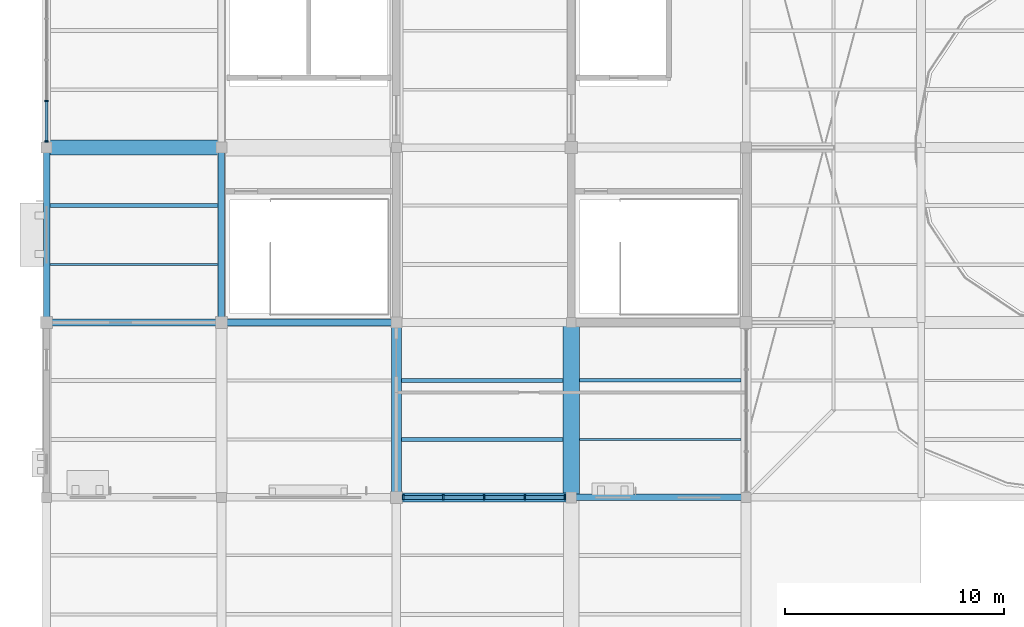
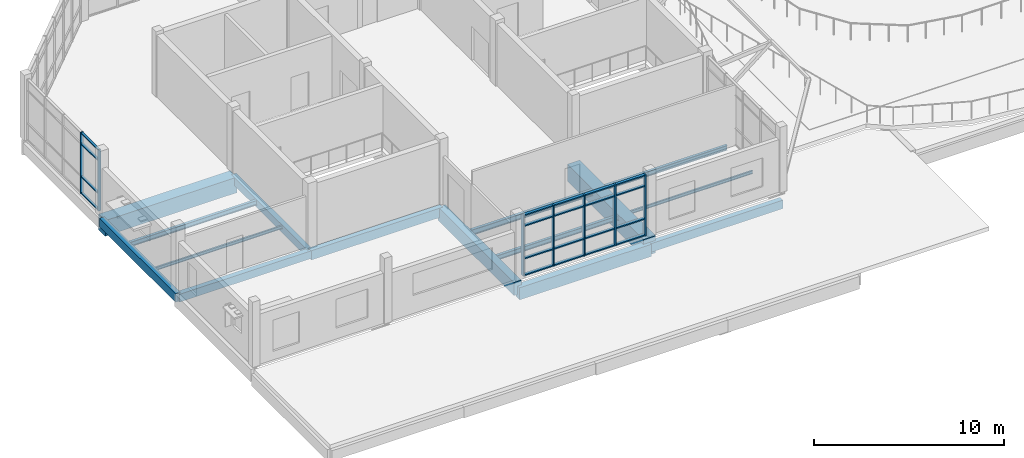
# One storey, part 12 of 44: 27 members, 15 beams, 2 elements without a shape of their own.
"""IFC4 building model written with IfcOpenShell, lengths in metres."""

from ifc_helpers import new_model, si_unit, direction, frame, origin, origin_2d, place, context, subcontext, project, spatial, rectangle, i_section, extrude, material, material_profile, profile_set, type_object, element, aggregate, save


model = new_model("IFC4")

# Units and contexts
model_context = context("Model", 3, precision=1e-05, world=origin(), true_north=direction((0.0, 1.0)))
body_context = subcontext(model_context, "Body", "Model", "MODEL_VIEW")
ifc_project = project(units=[si_unit("LENGTHUNIT", "METRE"), si_unit("AREAUNIT", "SQUARE_METRE"), si_unit("VOLUMEUNIT", "CUBIC_METRE"), si_unit("PLANEANGLEUNIT", "RADIAN"), si_unit("MASSUNIT", "GRAM", prefix="KILO")], contexts=[model_context])

# Site, building, storey
site_placement = place(None, origin())
site = spatial("IfcSite", under=ifc_project, at=site_placement, CompositionType="ELEMENT")
building_placement = place(site_placement, origin())
building = spatial("IfcBuilding", under=site, at=building_placement, Name="Tenunan Teduh Sports Hall", CompositionType="ELEMENT")
storey_placement = place(building_placement, frame((0.0, 0.0, 19.199951171875)))
storey = spatial("IfcBuildingStorey", under=building, at=storey_placement, Name="L04", CompositionType="ELEMENT", Elevation=19.199951171875)

# Beams
ifc_material_1 = material(Name="Concrete C40/50", Category="concrete")
ifc_material_profile_1 = material_profile(ifc_material_1, rectangle(XDim=0.300048828125, YDim=0.5, at=origin_2d()), Name="RCB 300x500")
ifc_profile_set_1 = profile_set([ifc_material_profile_1], Name="Concrete C40/50")
beam_type_1 = type_object("IfcBeamType", Name="BM-RC-300x500", PredefinedType="BEAM", material=ifc_profile_set_1)
for number, where, z_axis, x_axis, name in (
    (1, (6.0, 94.0, -0.52001953125), (1.0, 0.0, 0.0), (0.0, 1.0, 0.0), "BM-B-01-L04-2033"),
    (2, (14.0, 94.0, -0.52001953125), (0.0, 1.0, 0.0), (-1.0, 0.0, 0.0), "BM-B-01-L04-2074"),
):
    element("IfcBeam", number, at=place(storey_placement, frame(where, z_axis=z_axis, x_axis=x_axis)), inside=storey, type_object=beam_type_1, Name=name, PredefinedType="BEAM", context=body_context, shape_type="SweptSolid", body=[
        extrude(rectangle(XDim=0.300048828125, YDim=0.5, at=origin_2d()), origin(), (0.0, 0.0, 1.0), 8.0),
    ])
ifc_material_2 = material(Name="Concrete C40/50", Category="concrete")
ifc_material_profile_2 = material_profile(ifc_material_2, rectangle(XDim=0.300048828125, YDim=0.550048828125, at=origin_2d()), Name="RCB 300x550")
ifc_profile_set_2 = profile_set([ifc_material_profile_2], Name="Concrete C40/50")
beam_type_2 = type_object("IfcBeamType", Name="BM-RC-300x550", PredefinedType="BEAM", material=ifc_profile_set_2)
for number, where, z_axis, x_axis, name in (
    (3, (30.0, 86.0, -0.844970703125), (1.0, 0.0, 0.0), (0.0, 1.0, 0.0), "BM-B-02-L04-2029"),
    (4, (6.0, 94.0, -0.544921875), (0.0, 1.0, 0.0), (-1.0, 0.0, 0.0), "BM-B-02-L04-2070"),
):
    element("IfcBeam", number, at=place(storey_placement, frame(where, z_axis=z_axis, x_axis=x_axis)), inside=storey, type_object=beam_type_2, Name=name, PredefinedType="BEAM", context=body_context, shape_type="SweptSolid", body=[
        extrude(rectangle(XDim=0.300048828125, YDim=0.550048828125, at=origin_2d()), origin(), (0.0, 0.0, 1.0), 8.0),
    ])
ifc_material_3 = material(Name="Concrete C40/50", Category="concrete")
ifc_material_profile_3 = material_profile(ifc_material_3, rectangle(XDim=0.300048828125, YDim=0.60009765625, at=origin_2d()), Name="RCB 300x600")
ifc_profile_set_3 = profile_set([ifc_material_profile_3], Name="Concrete C40/50")
beam_type_3 = type_object("IfcBeamType", Name="BM-RC-300x600", PredefinedType="BEAM", material=ifc_profile_set_3)
beam_1_placement = place(storey_placement, frame((14.0, 94.0, -0.570068359375), z_axis=(1.0, 0.0, 0.0), x_axis=(0.0, 1.0, 0.0)))
element("IfcBeam", 5, at=beam_1_placement, inside=storey, type_object=beam_type_3, Name="BM-B-03-L04-2034", PredefinedType="BEAM", context=body_context, shape_type="SweptSolid", body=[
    extrude(rectangle(XDim=0.300048828125, YDim=0.60009765625, at=origin_2d()), origin(), (0.0, 0.0, 1.0), 8.0),
])
ifc_material_4 = material(Name="Concrete C40/50", Category="concrete")
ifc_material_profile_4 = material_profile(ifc_material_4, rectangle(XDim=0.449951171875, YDim=0.85009765625, at=origin_2d()), Name="RCB 450x850")
ifc_profile_set_4 = profile_set([ifc_material_profile_4], Name="Concrete C40/50")
beam_type_4 = type_object("IfcBeamType", Name="BM-RC-450x850", PredefinedType="BEAM", material=ifc_profile_set_4)
beam_2_placement = place(storey_placement, frame((22.0, 86.0, -0.695068359375), z_axis=(0.0, 1.0, 0.0), x_axis=(-1.0, 0.0, 0.0)))
element("IfcBeam", 6, at=beam_2_placement, inside=storey, type_object=beam_type_4, Name="BM-B-13-L04-2078", PredefinedType="BEAM", context=body_context, shape_type="SweptSolid", body=[
    extrude(rectangle(XDim=0.449951171875, YDim=0.85009765625, at=origin_2d()), origin(), (0.0, 0.0, 1.0), 8.0),
])
ifc_material_5 = material(Name="Concrete C40/50", Category="concrete")
ifc_material_profile_5 = material_profile(ifc_material_5, rectangle(XDim=0.699951171875, YDim=1.0, at=origin_2d()), Name="RCB 700x1000")
ifc_profile_set_5 = profile_set([ifc_material_profile_5], Name="Concrete C40/50")
beam_type_5 = type_object("IfcBeamType", Name="BM-RC-700x1000", PredefinedType="SPANDREL", material=ifc_profile_set_5)
beam_3_placement = place(storey_placement, frame((6.0, 102.0, -0.77001953125), z_axis=(1.0, 0.0, 0.0), x_axis=(0.0, 1.0, 0.0)))
element("IfcBeam", 7, at=beam_3_placement, inside=storey, type_object=beam_type_5, Name="BM-B-19-L04-2041", PredefinedType="SPANDREL", context=body_context, shape_type="SweptSolid", body=[
    extrude(rectangle(XDim=0.699951171875, YDim=1.0, at=origin_2d()), origin(), (0.0, 0.0, 1.0), 8.0),
])
ifc_material_6 = material(Name="Concrete C40/50", Category="concrete")
ifc_material_profile_6 = material_profile(ifc_material_6, rectangle(XDim=0.75, YDim=1.10009765625, at=origin_2d()), Name="RCB 750x1100")
ifc_profile_set_6 = profile_set([ifc_material_profile_6], Name="Concrete C40/50")
beam_type_6 = type_object("IfcBeamType", Name="BM-RC-750x1100", PredefinedType="SPANDREL", material=ifc_profile_set_6)
beam_4_placement = place(storey_placement, frame((30.0, 86.0, -0.820068359375), z_axis=(0.0, 1.0, 0.0), x_axis=(-1.0, 0.0, 0.0)))
element("IfcBeam", 8, at=beam_4_placement, inside=storey, type_object=beam_type_6, Name="BM-B-20-L04-2083", PredefinedType="SPANDREL", context=body_context, shape_type="SweptSolid", body=[
    extrude(rectangle(XDim=0.75, YDim=1.10009765625, at=origin_2d()), origin(), (0.0, 0.0, 1.0), 8.0),
])
ifc_material_7 = material(Name="Concrete C40/50", Category="concrete")
ifc_material_profile_7 = material_profile(ifc_material_7, rectangle(XDim=0.39990234375, YDim=0.780029296875, at=origin_2d()), Name="TB 400x780")
ifc_profile_set_7 = profile_set([ifc_material_profile_7], Name="Concrete C40/50")
beam_type_7 = type_object("IfcBeamType", Name="BM-TB-400x780", PredefinedType="T_BEAM", material=ifc_profile_set_7)
beam_5_placement = place(storey_placement, frame((22.0, 86.0, -0.9599609375), z_axis=(1.0, 0.0, 0.0), x_axis=(0.0, 1.0, 0.0)))
element("IfcBeam", 9, at=beam_5_placement, inside=storey, type_object=beam_type_7, Name="BM-TB-02-L04-2028", PredefinedType="T_BEAM", context=body_context, shape_type="SweptSolid", body=[
    extrude(rectangle(XDim=0.39990234375, YDim=0.780029296875, at=origin_2d()), origin(), (0.0, 0.0, 1.0), 8.0),
])

# Curtain wall, members
ifc_material_8 = material(Name="Anodised aluminium", Category="aluminium")
curtain_wall_type = type_object("IfcCurtainWallType", Name="CW-UNIT-2", PredefinedType="NOTDEFINED", material=ifc_material_8)
curtain_wall_1_placement = place(storey_placement, origin())
curtain_wall_1 = element("IfcCurtainWall", 10, at=curtain_wall_1_placement, inside=storey, type_object=curtain_wall_type, Name="CW-CWM-175-L04-234", PredefinedType="NOTDEFINED")
ifc_material_9 = material(Name="Anodised aluminium", Category="aluminium")
ifc_material_profile_8 = material_profile(ifc_material_9, rectangle(XDim=0.06494140625, YDim=0.175048828125, at=origin_2d()), Name="CWM 65x175")
ifc_profile_set_8 = profile_set([ifc_material_profile_8], Name="Anodised aluminium")
member_type_1 = type_object("IfcMemberType", Name="CWM-175", PredefinedType="MULLION", material=ifc_profile_set_8)
member_1_placement = place(storey_placement, frame((6.0, 102.282470703125, 0.0), z_axis=(0.0, 0.0, 1.0), x_axis=(0.0, 1.0, 0.0)))
member_1 = element("IfcMember", 11, at=member_1_placement, type_object=member_type_1, Name="CW-02 mullion 1", PredefinedType="MULLION", context=body_context, shape_type="SweptSolid", body=[
    extrude(rectangle(XDim=0.06494140625, YDim=0.175048828125, at=origin_2d()), origin(), (0.0, 0.0, 1.0), 3.920166015625),
])
member_2_placement = place(storey_placement, frame((6.0, 104.13134765625, 0.0), z_axis=(0.0, 0.0, 1.0), x_axis=(0.0, 1.0, 0.0)))
member_2 = element("IfcMember", 12, at=member_2_placement, type_object=member_type_1, Name="CW-02 mullion 2", PredefinedType="MULLION", context=body_context, shape_type="SweptSolid", body=[
    extrude(rectangle(XDim=0.06494140625, YDim=0.175048828125, at=origin_2d()), origin(), (0.0, 0.0, 1.0), 3.920166015625),
])

curtain_wall_2_placement = place(storey_placement, origin())
curtain_wall_2 = element("IfcCurtainWall", 13, at=curtain_wall_2_placement, inside=storey, type_object=curtain_wall_type, Name="CW-CWM-220-L04-229", PredefinedType="NOTDEFINED")
ifc_material_10 = material(Name="Anodised aluminium", Category="aluminium")
ifc_material_profile_9 = material_profile(ifc_material_10, rectangle(XDim=0.074951171875, YDim=0.219970703125, at=origin_2d()), Name="CWM 75x220")
ifc_profile_set_9 = profile_set([ifc_material_profile_9], Name="Anodised aluminium")
member_type_2 = type_object("IfcMemberType", Name="CWM-220", PredefinedType="MULLION", material=ifc_profile_set_9)
member_3_placement = place(storey_placement, frame((22.3125, 86.0, 0.0), z_axis=(0.0, 0.0, 1.0), x_axis=(1.0, 0.0, 0.0)))
member_3 = element("IfcMember", 14, at=member_3_placement, type_object=member_type_2, Name="CW-02 mullion 1", PredefinedType="MULLION", context=body_context, shape_type="SweptSolid", body=[
    extrude(rectangle(XDim=0.074951171875, YDim=0.219970703125, at=origin_2d()), origin(), (0.0, 0.0, 1.0), 3.920166015625),
])
member_4_placement = place(storey_placement, frame((24.143798828125, 86.0, 0.0), z_axis=(0.0, 0.0, 1.0), x_axis=(1.0, 0.0, 0.0)))
member_4 = element("IfcMember", 15, at=member_4_placement, type_object=member_type_2, Name="CW-02 mullion 2", PredefinedType="MULLION", context=body_context, shape_type="SweptSolid", body=[
    extrude(rectangle(XDim=0.074951171875, YDim=0.219970703125, at=origin_2d()), origin(), (0.0, 0.0, 1.0), 3.920166015625),
])
member_5_placement = place(storey_placement, frame((26.012451171875, 86.0, 0.0), z_axis=(0.0, 0.0, 1.0), x_axis=(1.0, 0.0, 0.0)))
member_5 = element("IfcMember", 16, at=member_5_placement, type_object=member_type_2, Name="CW-02 mullion 3", PredefinedType="MULLION", context=body_context, shape_type="SweptSolid", body=[
    extrude(rectangle(XDim=0.074951171875, YDim=0.219970703125, at=origin_2d()), origin(), (0.0, 0.0, 1.0), 3.920166015625),
])
member_6_placement = place(storey_placement, frame((27.88134765625, 86.0, 0.0), z_axis=(0.0, 0.0, 1.0), x_axis=(1.0, 0.0, 0.0)))
member_6 = element("IfcMember", 17, at=member_6_placement, type_object=member_type_2, Name="CW-02 mullion 4", PredefinedType="MULLION", context=body_context, shape_type="SweptSolid", body=[
    extrude(rectangle(XDim=0.074951171875, YDim=0.219970703125, at=origin_2d()), origin(), (0.0, 0.0, 1.0), 3.920166015625),
])
member_7_placement = place(storey_placement, frame((29.71240234375, 86.0, 0.0), z_axis=(0.0, 0.0, 1.0), x_axis=(1.0, 0.0, 0.0)))
member_7 = element("IfcMember", 18, at=member_7_placement, type_object=member_type_2, Name="CW-02 mullion 5", PredefinedType="MULLION", context=body_context, shape_type="SweptSolid", body=[
    extrude(rectangle(XDim=0.074951171875, YDim=0.219970703125, at=origin_2d()), origin(), (0.0, 0.0, 1.0), 3.920166015625),
])

# Member
ifc_material_11 = material(Name="Anodised aluminium", Category="aluminium")
ifc_material_profile_10 = material_profile(ifc_material_11, rectangle(XDim=0.06494140625, YDim=0.139892578125, at=origin_2d()), Name="CWT 65x140")
ifc_profile_set_10 = profile_set([ifc_material_profile_10], Name="Anodised aluminium")
member_type_3 = type_object("IfcMemberType", Name="CWT-150", PredefinedType="USERDEFINED", material=ifc_profile_set_10)
member_8_placement = place(storey_placement, frame((6.0, 102.31494140625, 0.032470703125), z_axis=(0.0, 1.0, 0.0), x_axis=(0.0, 0.0, 1.0)))
member_8 = element("IfcMember", 19, at=member_8_placement, type_object=member_type_3, Name="CW-02 transom 1.1", ObjectType="TRANSOM", PredefinedType="USERDEFINED", context=body_context, shape_type="SweptSolid", body=[
    extrude(rectangle(XDim=0.06494140625, YDim=0.139892578125, at=origin_2d()), origin(), (0.0, 0.0, 1.0), 1.78369140625),
])

member_9_placement = place(storey_placement, frame((6.0, 102.31494140625, 1.10009765625), z_axis=(0.0, 1.0, 0.0), x_axis=(0.0, 0.0, 1.0)))
member_9 = element("IfcMember", 20, at=member_9_placement, type_object=member_type_3, Name="CW-02 transom 1.2", ObjectType="TRANSOM", PredefinedType="USERDEFINED", context=body_context, shape_type="SweptSolid", body=[
    extrude(rectangle(XDim=0.06494140625, YDim=0.139892578125, at=origin_2d()), origin(), (0.0, 0.0, 1.0), 1.78369140625),
])

member_10_placement = place(storey_placement, frame((6.0, 102.31494140625, 3.199951171875), z_axis=(0.0, 1.0, 0.0), x_axis=(0.0, 0.0, 1.0)))
member_10 = element("IfcMember", 21, at=member_10_placement, type_object=member_type_3, Name="CW-02 transom 1.3", ObjectType="TRANSOM", PredefinedType="USERDEFINED", context=body_context, shape_type="SweptSolid", body=[
    extrude(rectangle(XDim=0.06494140625, YDim=0.139892578125, at=origin_2d()), origin(), (0.0, 0.0, 1.0), 1.78369140625),
])

member_11_placement = place(storey_placement, frame((6.0, 102.31494140625, 3.887451171875), z_axis=(0.0, 1.0, 0.0), x_axis=(0.0, 0.0, 1.0)))
member_11 = element("IfcMember", 22, at=member_11_placement, type_object=member_type_3, Name="CW-02 transom 1.4", ObjectType="TRANSOM", PredefinedType="USERDEFINED", context=body_context, shape_type="SweptSolid", body=[
    extrude(rectangle(XDim=0.06494140625, YDim=0.139892578125, at=origin_2d()), origin(), (0.0, 0.0, 1.0), 1.78369140625),
])

aggregate(curtain_wall_1, [member_1, member_2, member_8, member_9, member_10, member_11])

ifc_material_12 = material(Name="Anodised aluminium", Category="aluminium")
ifc_material_profile_11 = material_profile(ifc_material_12, rectangle(XDim=0.074951171875, YDim=0.179931640625, at=origin_2d()), Name="CWT 75x180")
ifc_profile_set_11 = profile_set([ifc_material_profile_11], Name="Anodised aluminium")
member_type_4 = type_object("IfcMemberType", Name="CWT-180", PredefinedType="USERDEFINED", material=ifc_profile_set_11)
member_12_placement = place(storey_placement, frame((22.35009765625, 86.0, 0.03759765625), z_axis=(1.0, 0.0, 0.0), x_axis=(0.0, 0.0, 1.0)))
member_12 = element("IfcMember", 23, at=member_12_placement, type_object=member_type_4, Name="CW-02 transom 1.1", ObjectType="TRANSOM", PredefinedType="USERDEFINED", context=body_context, shape_type="SweptSolid", body=[
    extrude(rectangle(XDim=0.074951171875, YDim=0.179931640625, at=origin_2d()), origin(), (0.0, 0.0, 1.0), 1.756103515625),
])

member_13_placement = place(storey_placement, frame((22.35009765625, 86.0, 1.10009765625), z_axis=(1.0, 0.0, 0.0), x_axis=(0.0, 0.0, 1.0)))
member_13 = element("IfcMember", 24, at=member_13_placement, type_object=member_type_4, Name="CW-02 transom 1.2", ObjectType="TRANSOM", PredefinedType="USERDEFINED", context=body_context, shape_type="SweptSolid", body=[
    extrude(rectangle(XDim=0.074951171875, YDim=0.179931640625, at=origin_2d()), origin(), (0.0, 0.0, 1.0), 1.756103515625),
])

member_14_placement = place(storey_placement, frame((22.35009765625, 86.0, 3.199951171875), z_axis=(1.0, 0.0, 0.0), x_axis=(0.0, 0.0, 1.0)))
member_14 = element("IfcMember", 25, at=member_14_placement, type_object=member_type_4, Name="CW-02 transom 1.3", ObjectType="TRANSOM", PredefinedType="USERDEFINED", context=body_context, shape_type="SweptSolid", body=[
    extrude(rectangle(XDim=0.074951171875, YDim=0.179931640625, at=origin_2d()), origin(), (0.0, 0.0, 1.0), 1.756103515625),
])

member_15_placement = place(storey_placement, frame((22.35009765625, 86.0, 3.882568359375), z_axis=(1.0, 0.0, 0.0), x_axis=(0.0, 0.0, 1.0)))
member_15 = element("IfcMember", 26, at=member_15_placement, type_object=member_type_4, Name="CW-02 transom 1.4", ObjectType="TRANSOM", PredefinedType="USERDEFINED", context=body_context, shape_type="SweptSolid", body=[
    extrude(rectangle(XDim=0.074951171875, YDim=0.179931640625, at=origin_2d()), origin(), (0.0, 0.0, 1.0), 1.756103515625),
])

member_16_placement = place(storey_placement, frame((24.18115234375, 86.0, 0.03759765625), z_axis=(1.0, 0.0, 0.0), x_axis=(0.0, 0.0, 1.0)))
member_16 = element("IfcMember", 27, at=member_16_placement, type_object=member_type_4, Name="CW-02 transom 2.1", ObjectType="TRANSOM", PredefinedType="USERDEFINED", context=body_context, shape_type="SweptSolid", body=[
    extrude(rectangle(XDim=0.074951171875, YDim=0.179931640625, at=origin_2d()), origin(), (0.0, 0.0, 1.0), 1.7939453125),
])

member_17_placement = place(storey_placement, frame((24.18115234375, 86.0, 1.10009765625), z_axis=(1.0, 0.0, 0.0), x_axis=(0.0, 0.0, 1.0)))
member_17 = element("IfcMember", 28, at=member_17_placement, type_object=member_type_4, Name="CW-02 transom 2.2", ObjectType="TRANSOM", PredefinedType="USERDEFINED", context=body_context, shape_type="SweptSolid", body=[
    extrude(rectangle(XDim=0.074951171875, YDim=0.179931640625, at=origin_2d()), origin(), (0.0, 0.0, 1.0), 1.7939453125),
])

member_18_placement = place(storey_placement, frame((24.18115234375, 86.0, 3.199951171875), z_axis=(1.0, 0.0, 0.0), x_axis=(0.0, 0.0, 1.0)))
member_18 = element("IfcMember", 29, at=member_18_placement, type_object=member_type_4, Name="CW-02 transom 2.3", ObjectType="TRANSOM", PredefinedType="USERDEFINED", context=body_context, shape_type="SweptSolid", body=[
    extrude(rectangle(XDim=0.074951171875, YDim=0.179931640625, at=origin_2d()), origin(), (0.0, 0.0, 1.0), 1.7939453125),
])

member_19_placement = place(storey_placement, frame((24.18115234375, 86.0, 3.882568359375), z_axis=(1.0, 0.0, 0.0), x_axis=(0.0, 0.0, 1.0)))
member_19 = element("IfcMember", 30, at=member_19_placement, type_object=member_type_4, Name="CW-02 transom 2.4", ObjectType="TRANSOM", PredefinedType="USERDEFINED", context=body_context, shape_type="SweptSolid", body=[
    extrude(rectangle(XDim=0.074951171875, YDim=0.179931640625, at=origin_2d()), origin(), (0.0, 0.0, 1.0), 1.7939453125),
])

member_20_placement = place(storey_placement, frame((26.050048828125, 86.0, 0.03759765625), z_axis=(1.0, 0.0, 0.0), x_axis=(0.0, 0.0, 1.0)))
member_20 = element("IfcMember", 31, at=member_20_placement, type_object=member_type_4, Name="CW-02 transom 3.1", ObjectType="TRANSOM", PredefinedType="USERDEFINED", context=body_context, shape_type="SweptSolid", body=[
    extrude(rectangle(XDim=0.074951171875, YDim=0.179931640625, at=origin_2d()), origin(), (0.0, 0.0, 1.0), 1.793701171875),
])

member_21_placement = place(storey_placement, frame((26.050048828125, 86.0, 1.10009765625), z_axis=(1.0, 0.0, 0.0), x_axis=(0.0, 0.0, 1.0)))
member_21 = element("IfcMember", 32, at=member_21_placement, type_object=member_type_4, Name="CW-02 transom 3.2", ObjectType="TRANSOM", PredefinedType="USERDEFINED", context=body_context, shape_type="SweptSolid", body=[
    extrude(rectangle(XDim=0.074951171875, YDim=0.179931640625, at=origin_2d()), origin(), (0.0, 0.0, 1.0), 1.793701171875),
])

member_22_placement = place(storey_placement, frame((26.050048828125, 86.0, 3.199951171875), z_axis=(1.0, 0.0, 0.0), x_axis=(0.0, 0.0, 1.0)))
member_22 = element("IfcMember", 33, at=member_22_placement, type_object=member_type_4, Name="CW-02 transom 3.3", ObjectType="TRANSOM", PredefinedType="USERDEFINED", context=body_context, shape_type="SweptSolid", body=[
    extrude(rectangle(XDim=0.074951171875, YDim=0.179931640625, at=origin_2d()), origin(), (0.0, 0.0, 1.0), 1.793701171875),
])

member_23_placement = place(storey_placement, frame((26.050048828125, 86.0, 3.882568359375), z_axis=(1.0, 0.0, 0.0), x_axis=(0.0, 0.0, 1.0)))
member_23 = element("IfcMember", 34, at=member_23_placement, type_object=member_type_4, Name="CW-02 transom 3.4", ObjectType="TRANSOM", PredefinedType="USERDEFINED", context=body_context, shape_type="SweptSolid", body=[
    extrude(rectangle(XDim=0.074951171875, YDim=0.179931640625, at=origin_2d()), origin(), (0.0, 0.0, 1.0), 1.793701171875),
])

member_24_placement = place(storey_placement, frame((27.918701171875, 86.0, 0.03759765625), z_axis=(1.0, 0.0, 0.0), x_axis=(0.0, 0.0, 1.0)))
member_24 = element("IfcMember", 35, at=member_24_placement, type_object=member_type_4, Name="CW-02 transom 4.1", ObjectType="TRANSOM", PredefinedType="USERDEFINED", context=body_context, shape_type="SweptSolid", body=[
    extrude(rectangle(XDim=0.074951171875, YDim=0.179931640625, at=origin_2d()), origin(), (0.0, 0.0, 1.0), 1.75634765625),
])

member_25_placement = place(storey_placement, frame((27.918701171875, 86.0, 1.10009765625), z_axis=(1.0, 0.0, 0.0), x_axis=(0.0, 0.0, 1.0)))
member_25 = element("IfcMember", 36, at=member_25_placement, type_object=member_type_4, Name="CW-02 transom 4.2", ObjectType="TRANSOM", PredefinedType="USERDEFINED", context=body_context, shape_type="SweptSolid", body=[
    extrude(rectangle(XDim=0.074951171875, YDim=0.179931640625, at=origin_2d()), origin(), (0.0, 0.0, 1.0), 1.75634765625),
])

member_26_placement = place(storey_placement, frame((27.918701171875, 86.0, 3.199951171875), z_axis=(1.0, 0.0, 0.0), x_axis=(0.0, 0.0, 1.0)))
member_26 = element("IfcMember", 37, at=member_26_placement, type_object=member_type_4, Name="CW-02 transom 4.3", ObjectType="TRANSOM", PredefinedType="USERDEFINED", context=body_context, shape_type="SweptSolid", body=[
    extrude(rectangle(XDim=0.074951171875, YDim=0.179931640625, at=origin_2d()), origin(), (0.0, 0.0, 1.0), 1.75634765625),
])

member_27_placement = place(storey_placement, frame((27.918701171875, 86.0, 3.882568359375), z_axis=(1.0, 0.0, 0.0), x_axis=(0.0, 0.0, 1.0)))
member_27 = element("IfcMember", 38, at=member_27_placement, type_object=member_type_4, Name="CW-02 transom 4.4", ObjectType="TRANSOM", PredefinedType="USERDEFINED", context=body_context, shape_type="SweptSolid", body=[
    extrude(rectangle(XDim=0.074951171875, YDim=0.179931640625, at=origin_2d()), origin(), (0.0, 0.0, 1.0), 1.75634765625),
])

aggregate(curtain_wall_2, [member_3, member_4, member_5, member_6, member_7, member_12, member_13, member_14, member_15, member_16, member_17, member_18, member_19, member_20, member_21, member_22, member_23, member_24, member_25, member_26, member_27])

# Beams
ifc_material_13 = material(Name="Steel S355", Category="steel")
ifc_material_profile_12 = material_profile(ifc_material_13, i_section(OverallWidth=0.10009765625, OverallDepth=0.199951171875, WebThickness=0.005615234375, FlangeThickness=0.008544921875, FilletRadius=0.011962890625, at=origin_2d()), Name="IPE 200")
ifc_profile_set_12 = profile_set([ifc_material_profile_12], Name="Steel S355")
beam_type_8 = type_object("IfcBeamType", Name="JST-IPE200", PredefinedType="JOIST", material=ifc_profile_set_12)
beam_6_placement = place(storey_placement, frame((6.14990234375, 96.64990234375, -0.369873046875), z_axis=(1.0, 0.0, 0.0), x_axis=(0.0, 1.0, 0.0)))
element("IfcBeam", 39, at=beam_6_placement, inside=storey, type_object=beam_type_8, Name="BM-J-01-L04-2114", PredefinedType="JOIST", context=body_context, shape_type="SweptSolid", body=[
    extrude(i_section(OverallWidth=0.10009765625, OverallDepth=0.199951171875, WebThickness=0.005615234375, FlangeThickness=0.008544921875, FilletRadius=0.011962890625, at=origin_2d()), origin(), (0.0, 0.0, 1.0), 7.7001953125),
])
beam_7_placement = place(storey_placement, frame((30.375, 88.64990234375, -0.369873046875), z_axis=(1.0, 0.0, 0.0), x_axis=(0.0, 1.0, 0.0)))
element("IfcBeam", 40, at=beam_7_placement, inside=storey, type_object=beam_type_8, Name="BM-J-01-L04-2136", PredefinedType="JOIST", context=body_context, shape_type="SweptSolid", body=[
    extrude(i_section(OverallWidth=0.10009765625, OverallDepth=0.199951171875, WebThickness=0.005615234375, FlangeThickness=0.008544921875, FilletRadius=0.011962890625, at=origin_2d()), origin(), (0.0, 0.0, 1.0), 7.39990234375),
])
ifc_material_14 = material(Name="Steel S355", Category="steel")
ifc_material_profile_13 = material_profile(ifc_material_14, i_section(OverallWidth=0.1650390625, OverallDepth=0.303466796875, WebThickness=0.006103515625, FlangeThickness=0.01025390625, FilletRadius=0.0087890625, at=origin_2d()), Name="UKB 305x165x40")
ifc_profile_set_13 = profile_set([ifc_material_profile_13], Name="Steel S355")
beam_type_9 = type_object("IfcBeamType", Name="SBM-UKB305", PredefinedType="BEAM", material=ifc_profile_set_13)
beam_8_placement = place(storey_placement, frame((6.14990234375, 99.35009765625, -0.421630859375), z_axis=(1.0, 0.0, 0.0), x_axis=(0.0, 1.0, 0.0)))
element("IfcBeam", 41, at=beam_8_placement, inside=storey, type_object=beam_type_9, Name="BM-SB-01-L04-2115", PredefinedType="BEAM", context=body_context, shape_type="SweptSolid", body=[
    extrude(i_section(OverallWidth=0.1650390625, OverallDepth=0.303466796875, WebThickness=0.006103515625, FlangeThickness=0.01025390625, FilletRadius=0.0087890625, at=origin_2d()), origin(), (0.0, 0.0, 1.0), 7.7001953125),
])
for number, where, z_axis, x_axis, name in (
    (42, (22.22509765625, 88.64990234375, -0.421630859375), (1.0, 0.0, 0.0), (0.0, 1.0, 0.0), "BM-SB-01-L04-2126"),
    (43, (30.375, 91.35009765625, -0.421630859375), (1.0, 0.0, 0.0), (0.0, 1.0, 0.0), "BM-SB-01-L04-2137"),
):
    element("IfcBeam", number, at=place(storey_placement, frame(where, z_axis=z_axis, x_axis=x_axis)), inside=storey, type_object=beam_type_9, Name=name, PredefinedType="BEAM", context=body_context, shape_type="SweptSolid", body=[
        extrude(i_section(OverallWidth=0.1650390625, OverallDepth=0.303466796875, WebThickness=0.006103515625, FlangeThickness=0.01025390625, FilletRadius=0.0087890625, at=origin_2d()), origin(), (0.0, 0.0, 1.0), 7.39990234375),
    ])
ifc_material_15 = material(Name="Steel S355", Category="steel")
ifc_material_profile_14 = material_profile(ifc_material_15, i_section(OverallWidth=0.17138671875, OverallDepth=0.35498046875, WebThickness=0.00732421875, FlangeThickness=0.011474609375, FilletRadius=0.01025390625, at=origin_2d()), Name="UKB 356x171x51")
ifc_profile_set_14 = profile_set([ifc_material_profile_14], Name="Steel S355")
beam_type_10 = type_object("IfcBeamType", Name="SBM-UKB356", PredefinedType="BEAM", material=ifc_profile_set_14)
beam_9_placement = place(storey_placement, frame((22.22509765625, 91.35009765625, -0.447509765625), z_axis=(1.0, 0.0, 0.0), x_axis=(0.0, 1.0, 0.0)))
element("IfcBeam", 44, at=beam_9_placement, inside=storey, type_object=beam_type_10, Name="BM-SB-02-L04-2127", PredefinedType="BEAM", context=body_context, shape_type="SweptSolid", body=[
    extrude(i_section(OverallWidth=0.17138671875, OverallDepth=0.35498046875, WebThickness=0.00732421875, FlangeThickness=0.011474609375, FilletRadius=0.01025390625, at=origin_2d()), origin(), (0.0, 0.0, 1.0), 7.39990234375),
])

save(model, "model.ifc")
